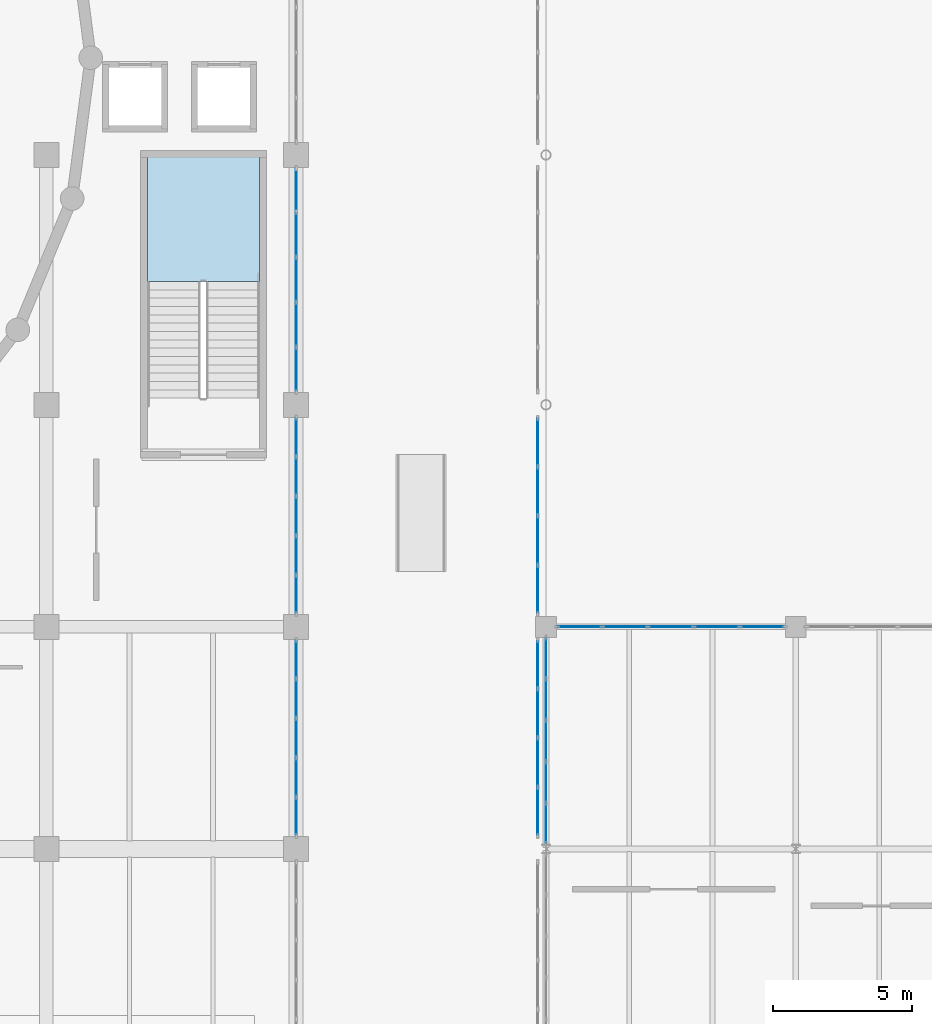
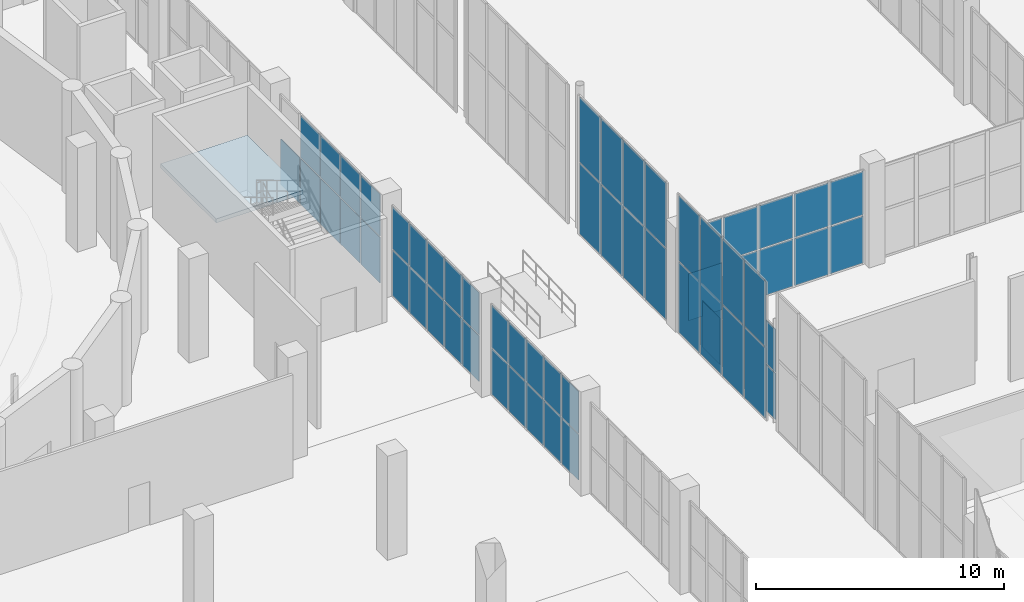
# One storey, part 69 of 103: 65 plates, 1 slab, 8 elements without a shape of their own.
"""IFC4 building model written with IfcOpenShell, lengths in metres."""

import ifcopenshell
import ifcopenshell.guid

model = None  # the IFC model being written
_history = None  # IfcOwnerHistory: only IFC2X3 demands one
_inside = {}  # id of a spatial element -> (the spatial element, [elements in it])
_under = {}  # id of a project, library or spatial element -> (it, [spatial elements below it])
_declared = {}  # id of a project -> (the project, [libraries it declares])
_typed = {}  # id of a type object -> (the type object, [elements of that type])
_made_of = {}  # id of a material, layer set ... -> (it, [elements and type objects made of it])


def new_model(schema):
    """Start an empty IFC model of exactly this schema.

    Asked for "IFC4X3", IfcOpenShell would pick the latest addendum, in which some entities
    have other attributes; the version numbers below select the first issue.
    IFC2X3 requires an IfcOwnerHistory on every rooted entity: one is made here for all.
    """
    global model, _history
    if schema == "IFC4X3":
        model = ifcopenshell.file(schema_version=(4, 3, 0, 0))
    else:
        model = ifcopenshell.file(schema=schema)
    _inside.clear()
    _under.clear()
    _declared.clear()
    _typed.clear()
    _made_of.clear()
    _history = None
    if model.schema == "IFC2X3":
        org = make("IfcOrganization", Name="unknown")
        user = make(
            "IfcPersonAndOrganization",
            ThePerson=make("IfcPerson", FamilyName="unknown"),
            TheOrganization=org,
        )
        app = make(
            "IfcApplication",
            ApplicationDeveloper=org,
            Version="unknown",
            ApplicationFullName="unknown",
            ApplicationIdentifier="unknown",
        )
        _history = make(
            "IfcOwnerHistory",
            OwningUser=user,
            OwningApplication=app,
            ChangeAction="ADDED",
            CreationDate=0,
        )
    return model


def make(cls, **values):
    """One entity of the class cls with the attributes given. An attribute that is None is left unset."""
    return model.create_entity(
        cls, **{name: value for name, value in values.items() if value is not None}
    )


def rooted(cls, **values):
    """An entity with a GlobalId (a new one), such as an element, a storey or a relation."""
    return make(cls, GlobalId=ifcopenshell.guid.new(), OwnerHistory=_history, **values)


def si_unit(unit_type, name, prefix=None):
    """IfcSIUnit, for example si_unit("LENGTHUNIT", "METRE", prefix="MILLI")."""
    return make("IfcSIUnit", UnitType=unit_type, Prefix=prefix, Name=name)


def assignment(units):
    """IfcUnitAssignment: the units of a project."""
    return None if units is None else make("IfcUnitAssignment", Units=units)


def point(xyz):
    """IfcCartesianPoint."""
    return None if xyz is None else make("IfcCartesianPoint", Coordinates=xyz)


def direction(xyz):
    """IfcDirection."""
    return None if xyz is None else make("IfcDirection", DirectionRatios=xyz)


def frame(location, z_axis=None, x_axis=None):
    """IfcAxis2Placement3D, a coordinate frame: its origin and axes. An axis left out is left unset."""
    return make(
        "IfcAxis2Placement3D",
        Location=point(location),
        Axis=direction(z_axis),
        RefDirection=direction(x_axis),
    )


def frame_2d(location, x_axis=None):
    """IfcAxis2Placement2D, a coordinate frame in the plane: its origin and x axis."""
    return make(
        "IfcAxis2Placement2D", Location=point(location), RefDirection=direction(x_axis)
    )


def origin():
    """The frame at (0, 0, 0) with its axes left unset."""
    return frame((0.0, 0.0, 0.0))


def origin_2d():
    """The frame at (0, 0) in the plane with its x axis left unset."""
    return frame_2d((0.0, 0.0))


def place(relative_to, where):
    """IfcLocalPlacement: puts the frame where relative to a parent placement (None: the world)."""
    return make(
        "IfcLocalPlacement", PlacementRelTo=relative_to, RelativePlacement=where
    )


def context(
    kind, dimensions, precision=None, world=None, true_north=None, identifier=None
):
    """IfcGeometricRepresentationContext, for example the 3D "Model" context."""
    return make(
        "IfcGeometricRepresentationContext",
        ContextIdentifier=identifier,
        ContextType=kind,
        CoordinateSpaceDimension=dimensions,
        Precision=precision,
        WorldCoordinateSystem=world,
        TrueNorth=true_north,
    )


def subcontext(parent, identifier, kind, view, scale=None):
    """IfcGeometricRepresentationSubContext, for example "Body" below "Model"."""
    return make(
        "IfcGeometricRepresentationSubContext",
        ContextIdentifier=identifier,
        ContextType=kind,
        ParentContext=parent,
        TargetScale=scale,
        TargetView=view,
    )


def project(units=None, contexts=None):
    """IfcProject with its units and contexts."""
    return rooted(
        "IfcProject",
        Name="project",
        RepresentationContexts=contexts,
        UnitsInContext=assignment(units),
    )


def spatial(cls, under=None, at=None, **own):
    """A site, building, storey or space (cls), placed at a placement, below another one or the project."""
    s = rooted(cls, ObjectPlacement=at, **own)
    if under is not None:
        _under.setdefault(under.id(), (under, []))[1].append(s)
    return s


def polyline(points):
    """IfcPolyline through the points."""
    return make("IfcPolyline", Points=[point(p) for p in points])


def profile(cls, at=None, kind="AREA", **sizes):
    """A parametric profile (cls). Its sizes go by their IFC names, for example OverallWidth=200.0."""
    return make(cls, ProfileType=kind, Position=at, **sizes)


def rectangle(**sizes):
    """IfcRectangleProfileDef."""
    return profile("IfcRectangleProfileDef", **sizes)


def outline(outer, holes=None, kind="AREA"):
    """IfcArbitraryClosedProfileDef: a profile drawn as a closed curve; with holes, ...WithVoids."""
    if holes is None:
        return make("IfcArbitraryClosedProfileDef", ProfileType=kind, OuterCurve=outer)
    return make(
        "IfcArbitraryProfileDefWithVoids",
        ProfileType=kind,
        OuterCurve=outer,
        InnerCurves=holes,
    )


def extrude(swept, where, along, depth):
    """IfcExtrudedAreaSolid: the profile swept, set in the frame where, extruded along a direction by depth."""
    return make(
        "IfcExtrudedAreaSolid",
        SweptArea=swept,
        Position=where,
        ExtrudedDirection=direction(along),
        Depth=depth,
    )


def shape(context_of_items, identifier, shape_type, items):
    """IfcShapeRepresentation: the items that make up one representation, for example the "Body"."""
    return make(
        "IfcShapeRepresentation",
        ContextOfItems=context_of_items,
        RepresentationIdentifier=identifier,
        RepresentationType=shape_type,
        Items=items,
    )


def material(Name=None, Category=None):
    """IfcMaterial."""
    return make("IfcMaterial", Name=Name, Category=Category)


def layer(
    of_material, thickness, ventilated=None, Name=None, Category=None, Priority=None
):
    """IfcMaterialLayer: one layer of a wall or slab, of a material (None: an air gap)."""
    return make(
        "IfcMaterialLayer",
        Material=of_material,
        LayerThickness=thickness,
        IsVentilated=ventilated,
        Name=Name,
        Category=Category,
        Priority=Priority,
    )


def layer_set(layers, Name=None):
    """IfcMaterialLayerSet."""
    return make("IfcMaterialLayerSet", MaterialLayers=layers, LayerSetName=Name)


def made_of(thing, what):
    """Note that an element or type object is made of a material, layer set ...; save() writes the relation."""
    if what is not None:
        _made_of.setdefault(what.id(), (what, []))[1].append(thing)
    return thing


def type_object(cls, material=None, **own):
    """A type object (cls), such as IfcWallType, which elements share."""
    return made_of(rooted(cls, **own), material)


def element(
    cls,
    number,
    at=None,
    inside=None,
    cuts=None,
    type_object=None,
    material=None,
    context=None,
    identifier="Body",
    shape_type=None,
    held_by="IfcProductDefinitionShape",
    body=None,
    shapes=None,
    **own,
):
    """One element of the class cls, such as IfcWall. Its Tag is "e" and its number.

    at: its placement. inside: the storey or other place that contains it. cuts: it is an
    opening in that element (IfcRelVoidsElement). A single representation is given by context,
    identifier, shape_type and body (its items); several are given by shapes. held_by: the class
    of the entity that holds the representations. save() writes the other relations.
    """
    e = rooted(cls, Tag="e%d" % number, ObjectPlacement=at, **own)
    if body is not None:
        shapes = [shape(context, identifier, shape_type, body)]
    if shapes is not None:
        e.Representation = make(held_by, Representations=shapes)
    if inside is not None:
        _inside.setdefault(inside.id(), (inside, []))[1].append(e)
    if cuts is not None:
        rooted(
            "IfcRelVoidsElement", RelatingBuildingElement=cuts, RelatedOpeningElement=e
        )
    if type_object is not None:
        _typed.setdefault(type_object.id(), (type_object, []))[1].append(e)
    return made_of(e, material)


def aggregate(whole, parts):
    """IfcRelAggregates: a whole, such as a stair, and the parts it consists of."""
    return rooted("IfcRelAggregates", RelatingObject=whole, RelatedObjects=parts)


def save(model, path):
    """Write the relations noted so far, then the file.

    IfcRelAggregates (storeys below a building ...), IfcRelContainedInSpatialStructure (elements
    in a storey), IfcRelDefinesByType, IfcRelAssociatesMaterial and IfcRelDeclares: one each for
    every whole, place, type object, material and project.
    """
    for whole, parts in _under.values():
        aggregate(whole, parts)
    for where, things in _inside.values():
        rooted(
            "IfcRelContainedInSpatialStructure",
            RelatedElements=things,
            RelatingStructure=where,
        )
    for kind, things in _typed.values():
        rooted("IfcRelDefinesByType", RelatedObjects=things, RelatingType=kind)
    for what, things in _made_of.values():
        rooted("IfcRelAssociatesMaterial", RelatedObjects=things, RelatingMaterial=what)
    for by, libraries in _declared.values():
        rooted("IfcRelDeclares", RelatingContext=by, RelatedDefinitions=libraries)
    model.write(path)


model = new_model("IFC4")

# Units and contexts
model_context = context("Model", 3, precision=1e-05, world=origin(), true_north=direction((0.0, 1.0)))
body_context = subcontext(model_context, "Body", "Model", "MODEL_VIEW")
ifc_project = project(units=[si_unit("LENGTHUNIT", "METRE"), si_unit("AREAUNIT", "SQUARE_METRE"), si_unit("VOLUMEUNIT", "CUBIC_METRE"), si_unit("PLANEANGLEUNIT", "RADIAN"), si_unit("MASSUNIT", "GRAM", prefix="KILO")], contexts=[model_context])

# Site, building, storey
site_placement = place(None, origin())
site = spatial("IfcSite", under=ifc_project, at=site_placement, CompositionType="ELEMENT")
building_placement = place(site_placement, origin())
building = spatial("IfcBuilding", under=site, at=building_placement, Name="Marnock Terrace Opera House", CompositionType="ELEMENT")
storey_placement = place(building_placement, origin())
storey = spatial("IfcBuildingStorey", under=building, at=storey_placement, Name="L00", CompositionType="ELEMENT", Elevation=0.0)

# Curtain wall, plates
ifc_material_1 = material(Name="Anodised architectural bronze aluminium framing", Category="aluminium")
ifc_layer_1 = layer(ifc_material_1, 0.159912109375)
ifc_layer_set_1 = layer_set([ifc_layer_1], Name="Anodised architectural bronze aluminium framing")
curtain_wall_type_1 = type_object("IfcCurtainWallType", Name="CW-FOYER-80x51", PredefinedType="NOTDEFINED", material=ifc_layer_set_1)
curtain_wall_1_placement = place(storey_placement, origin())
curtain_wall_1 = element("IfcCurtainWall", 1, at=curtain_wall_1_placement, inside=storey, type_object=curtain_wall_type_1, Name="L00 glazed Beaux-Arts colonnade curtain wall CW-V1E-L00-04", PredefinedType="NOTDEFINED")
ifc_material_2 = material(Name="Double-glazed acoustic low-E laminated glass", Category="glass")
ifc_layer_2 = layer(ifc_material_2, 0.028076171875)
ifc_layer_set_2 = layer_set([ifc_layer_2], Name="Double-glazed acoustic low-E laminated glass")
plate_type = type_object("IfcPlateType", Name="CWP-GLZ-28", PredefinedType="CURTAIN_PANEL", material=ifc_layer_set_2)
plate_1_placement = place(storey_placement, frame((109.0, 33.171875, 0.06005859375), z_axis=(0.0, 0.0, 1.0), x_axis=(0.0, 1.0, 0.0)))
plate_1 = element("IfcPlate", 2, at=plate_1_placement, type_object=plate_type, Name="CW-73 panel 1.1", PredefinedType="CURTAIN_PANEL", context=body_context, shape_type="SweptSolid", body=[
    extrude(rectangle(XDim=1.33154296875, YDim=0.028076171875, at=origin_2d()), origin(), (0.0, 0.0, 1.0), 2.243896484375),
])
plate_2_placement = place(storey_placement, frame((109.0, 33.171875, 2.36376953125), z_axis=(0.0, 0.0, 1.0), x_axis=(0.0, 1.0, 0.0)))
plate_2 = element("IfcPlate", 3, at=plate_2_placement, type_object=plate_type, Name="CW-73 panel 1.2", PredefinedType="CURTAIN_PANEL", context=body_context, shape_type="SweptSolid", body=[
    extrude(rectangle(XDim=1.33154296875, YDim=0.028076171875, at=origin_2d()), origin(), (0.0, 0.0, 1.0), 2.064208984375),
])
plate_3_placement = place(storey_placement, frame((109.0, 34.578369140625, 0.06005859375), z_axis=(0.0, 0.0, 1.0), x_axis=(0.0, 1.0, 0.0)))
plate_3 = element("IfcPlate", 4, at=plate_3_placement, type_object=plate_type, Name="CW-73 panel 2.1", PredefinedType="CURTAIN_PANEL", context=body_context, shape_type="SweptSolid", body=[
    extrude(rectangle(XDim=1.361572265625, YDim=0.028076171875, at=origin_2d()), origin(), (0.0, 0.0, 1.0), 2.243896484375),
])
plate_4_placement = place(storey_placement, frame((109.0, 34.578369140625, 2.36376953125), z_axis=(0.0, 0.0, 1.0), x_axis=(0.0, 1.0, 0.0)))
plate_4 = element("IfcPlate", 5, at=plate_4_placement, type_object=plate_type, Name="CW-73 panel 2.2", PredefinedType="CURTAIN_PANEL", context=body_context, shape_type="SweptSolid", body=[
    extrude(rectangle(XDim=1.361572265625, YDim=0.028076171875, at=origin_2d()), origin(), (0.0, 0.0, 1.0), 2.064208984375),
])
plate_5_placement = place(storey_placement, frame((109.0, 36.0, 0.06005859375), z_axis=(0.0, 0.0, 1.0), x_axis=(0.0, 1.0, 0.0)))
plate_5 = element("IfcPlate", 6, at=plate_5_placement, type_object=plate_type, Name="CW-73 panel 3.1", PredefinedType="CURTAIN_PANEL", context=body_context, shape_type="SweptSolid", body=[
    extrude(rectangle(XDim=1.361572265625, YDim=0.028076171875, at=origin_2d()), origin(), (0.0, 0.0, 1.0), 2.243896484375),
])
plate_6_placement = place(storey_placement, frame((109.0, 36.0, 2.36376953125), z_axis=(0.0, 0.0, 1.0), x_axis=(0.0, 1.0, 0.0)))
plate_6 = element("IfcPlate", 7, at=plate_6_placement, type_object=plate_type, Name="CW-73 panel 3.2", PredefinedType="CURTAIN_PANEL", context=body_context, shape_type="SweptSolid", body=[
    extrude(rectangle(XDim=1.361572265625, YDim=0.028076171875, at=origin_2d()), origin(), (0.0, 0.0, 1.0), 2.064208984375),
])
plate_7_placement = place(storey_placement, frame((109.0, 37.421630859375, 0.06005859375), z_axis=(0.0, 0.0, 1.0), x_axis=(0.0, 1.0, 0.0)))
plate_7 = element("IfcPlate", 8, at=plate_7_placement, type_object=plate_type, Name="CW-73 panel 4.1", PredefinedType="CURTAIN_PANEL", context=body_context, shape_type="SweptSolid", body=[
    extrude(rectangle(XDim=1.361572265625, YDim=0.028076171875, at=origin_2d()), origin(), (0.0, 0.0, 1.0), 2.243896484375),
])
plate_8_placement = place(storey_placement, frame((109.0, 37.421630859375, 2.36376953125), z_axis=(0.0, 0.0, 1.0), x_axis=(0.0, 1.0, 0.0)))
plate_8 = element("IfcPlate", 9, at=plate_8_placement, type_object=plate_type, Name="CW-73 panel 4.2", PredefinedType="CURTAIN_PANEL", context=body_context, shape_type="SweptSolid", body=[
    extrude(rectangle(XDim=1.361572265625, YDim=0.028076171875, at=origin_2d()), origin(), (0.0, 0.0, 1.0), 2.064208984375),
])
plate_9_placement = place(storey_placement, frame((109.0, 38.828125, 0.06005859375), z_axis=(0.0, 0.0, 1.0), x_axis=(0.0, 1.0, 0.0)))
plate_9 = element("IfcPlate", 10, at=plate_9_placement, type_object=plate_type, Name="CW-73 panel 5.1", PredefinedType="CURTAIN_PANEL", context=body_context, shape_type="SweptSolid", body=[
    extrude(rectangle(XDim=1.33154296875, YDim=0.028076171875, at=origin_2d()), origin(), (0.0, 0.0, 1.0), 2.243896484375),
])
plate_10_placement = place(storey_placement, frame((109.0, 38.828125, 2.36376953125), z_axis=(0.0, 0.0, 1.0), x_axis=(0.0, 1.0, 0.0)))
plate_10 = element("IfcPlate", 11, at=plate_10_placement, type_object=plate_type, Name="CW-73 panel 5.2", PredefinedType="CURTAIN_PANEL", context=body_context, shape_type="SweptSolid", body=[
    extrude(rectangle(XDim=1.33154296875, YDim=0.028076171875, at=origin_2d()), origin(), (0.0, 0.0, 1.0), 2.064208984375),
])
aggregate(curtain_wall_1, [plate_1, plate_2, plate_3, plate_4, plate_5, plate_6, plate_7, plate_8, plate_9, plate_10])

curtain_wall_2_placement = place(storey_placement, origin())
curtain_wall_2 = element("IfcCurtainWall", 12, at=curtain_wall_2_placement, inside=storey, type_object=curtain_wall_type_1, Name="L00 glazed Beaux-Arts colonnade curtain wall CW-V1E-L00-05", PredefinedType="NOTDEFINED")
plate_11_placement = place(storey_placement, frame((109.0, 41.171875, 0.06005859375), z_axis=(0.0, 0.0, 1.0), x_axis=(0.0, 1.0, 0.0)))
plate_11 = element("IfcPlate", 13, at=plate_11_placement, type_object=plate_type, Name="CW-73 panel 1.1", PredefinedType="CURTAIN_PANEL", context=body_context, shape_type="SweptSolid", body=[
    extrude(rectangle(XDim=1.33154296875, YDim=0.028076171875, at=origin_2d()), origin(), (0.0, 0.0, 1.0), 2.243896484375),
])
plate_12_placement = place(storey_placement, frame((109.0, 41.171875, 2.36376953125), z_axis=(0.0, 0.0, 1.0), x_axis=(0.0, 1.0, 0.0)))
plate_12 = element("IfcPlate", 14, at=plate_12_placement, type_object=plate_type, Name="CW-73 panel 1.2", PredefinedType="CURTAIN_PANEL", context=body_context, shape_type="SweptSolid", body=[
    extrude(rectangle(XDim=1.33154296875, YDim=0.028076171875, at=origin_2d()), origin(), (0.0, 0.0, 1.0), 2.064208984375),
])
plate_13_placement = place(storey_placement, frame((109.0, 42.578369140625, 0.06005859375), z_axis=(0.0, 0.0, 1.0), x_axis=(0.0, 1.0, 0.0)))
plate_13 = element("IfcPlate", 15, at=plate_13_placement, type_object=plate_type, Name="CW-73 panel 2.1", PredefinedType="CURTAIN_PANEL", context=body_context, shape_type="SweptSolid", body=[
    extrude(rectangle(XDim=1.361572265625, YDim=0.028076171875, at=origin_2d()), origin(), (0.0, 0.0, 1.0), 2.243896484375),
])
plate_14_placement = place(storey_placement, frame((109.0, 42.578369140625, 2.36376953125), z_axis=(0.0, 0.0, 1.0), x_axis=(0.0, 1.0, 0.0)))
plate_14 = element("IfcPlate", 16, at=plate_14_placement, type_object=plate_type, Name="CW-73 panel 2.2", PredefinedType="CURTAIN_PANEL", context=body_context, shape_type="SweptSolid", body=[
    extrude(rectangle(XDim=1.361572265625, YDim=0.028076171875, at=origin_2d()), origin(), (0.0, 0.0, 1.0), 2.064208984375),
])
plate_15_placement = place(storey_placement, frame((109.0, 44.0, 0.06005859375), z_axis=(0.0, 0.0, 1.0), x_axis=(0.0, 1.0, 0.0)))
plate_15 = element("IfcPlate", 17, at=plate_15_placement, type_object=plate_type, Name="CW-73 panel 3.1", PredefinedType="CURTAIN_PANEL", context=body_context, shape_type="SweptSolid", body=[
    extrude(rectangle(XDim=1.361572265625, YDim=0.028076171875, at=origin_2d()), origin(), (0.0, 0.0, 1.0), 2.243896484375),
])
plate_16_placement = place(storey_placement, frame((109.0, 44.0, 2.36376953125), z_axis=(0.0, 0.0, 1.0), x_axis=(0.0, 1.0, 0.0)))
plate_16 = element("IfcPlate", 18, at=plate_16_placement, type_object=plate_type, Name="CW-73 panel 3.2", PredefinedType="CURTAIN_PANEL", context=body_context, shape_type="SweptSolid", body=[
    extrude(rectangle(XDim=1.361572265625, YDim=0.028076171875, at=origin_2d()), origin(), (0.0, 0.0, 1.0), 2.064208984375),
])
plate_17_placement = place(storey_placement, frame((109.0, 45.421630859375, 0.06005859375), z_axis=(0.0, 0.0, 1.0), x_axis=(0.0, 1.0, 0.0)))
plate_17 = element("IfcPlate", 19, at=plate_17_placement, type_object=plate_type, Name="CW-73 panel 4.1", PredefinedType="CURTAIN_PANEL", context=body_context, shape_type="SweptSolid", body=[
    extrude(rectangle(XDim=1.361572265625, YDim=0.028076171875, at=origin_2d()), origin(), (0.0, 0.0, 1.0), 2.243896484375),
])
plate_18_placement = place(storey_placement, frame((109.0, 45.421630859375, 2.36376953125), z_axis=(0.0, 0.0, 1.0), x_axis=(0.0, 1.0, 0.0)))
plate_18 = element("IfcPlate", 20, at=plate_18_placement, type_object=plate_type, Name="CW-73 panel 4.2", PredefinedType="CURTAIN_PANEL", context=body_context, shape_type="SweptSolid", body=[
    extrude(rectangle(XDim=1.361572265625, YDim=0.028076171875, at=origin_2d()), origin(), (0.0, 0.0, 1.0), 2.064208984375),
])
plate_19_placement = place(storey_placement, frame((109.0, 46.828125, 0.06005859375), z_axis=(0.0, 0.0, 1.0), x_axis=(0.0, 1.0, 0.0)))
plate_19 = element("IfcPlate", 21, at=plate_19_placement, type_object=plate_type, Name="CW-73 panel 5.1", PredefinedType="CURTAIN_PANEL", context=body_context, shape_type="SweptSolid", body=[
    extrude(rectangle(XDim=1.33154296875, YDim=0.028076171875, at=origin_2d()), origin(), (0.0, 0.0, 1.0), 2.243896484375),
])
plate_20_placement = place(storey_placement, frame((109.0, 46.828125, 2.36376953125), z_axis=(0.0, 0.0, 1.0), x_axis=(0.0, 1.0, 0.0)))
plate_20 = element("IfcPlate", 22, at=plate_20_placement, type_object=plate_type, Name="CW-73 panel 5.2", PredefinedType="CURTAIN_PANEL", context=body_context, shape_type="SweptSolid", body=[
    extrude(rectangle(XDim=1.33154296875, YDim=0.028076171875, at=origin_2d()), origin(), (0.0, 0.0, 1.0), 2.064208984375),
])
aggregate(curtain_wall_2, [plate_11, plate_12, plate_13, plate_14, plate_15, plate_16, plate_17, plate_18, plate_19, plate_20])

ifc_layer_3 = layer(ifc_material_1, 0.159912109375)
ifc_layer_set_3 = layer_set([ifc_layer_3], Name="Anodised architectural bronze aluminium framing")
curtain_wall_type_2 = type_object("IfcCurtainWallType", Name="CW-FOYER-90x51", PredefinedType="NOTDEFINED", material=ifc_layer_set_3)
curtain_wall_3_placement = place(storey_placement, origin())
curtain_wall_3 = element("IfcCurtainWall", 23, at=curtain_wall_3_placement, inside=storey, type_object=curtain_wall_type_2, Name="L00 glazed Beaux-Arts colonnade curtain wall CW-V1E-L00-06", PredefinedType="NOTDEFINED")
plate_21_placement = place(storey_placement, frame((109.0, 49.271728515625, 0.06005859375), z_axis=(0.0, 0.0, 1.0), x_axis=(0.0, 1.0, 0.0)))
plate_21 = element("IfcPlate", 24, at=plate_21_placement, type_object=plate_type, Name="CW-31 panel 1.1", PredefinedType="CURTAIN_PANEL", context=body_context, shape_type="SweptSolid", body=[
    extrude(rectangle(XDim=1.531494140625, YDim=0.028076171875, at=origin_2d()), origin(), (0.0, 0.0, 1.0), 2.243896484375),
])
plate_22_placement = place(storey_placement, frame((109.0, 49.271728515625, 2.36376953125), z_axis=(0.0, 0.0, 1.0), x_axis=(0.0, 1.0, 0.0)))
plate_22 = element("IfcPlate", 25, at=plate_22_placement, type_object=plate_type, Name="CW-31 panel 1.2", PredefinedType="CURTAIN_PANEL", context=body_context, shape_type="SweptSolid", body=[
    extrude(rectangle(XDim=1.531494140625, YDim=0.028076171875, at=origin_2d()), origin(), (0.0, 0.0, 1.0), 2.064208984375),
])
plate_23_placement = place(storey_placement, frame((109.0, 50.87841796875, 0.06005859375), z_axis=(0.0, 0.0, 1.0), x_axis=(0.0, 1.0, 0.0)))
plate_23 = element("IfcPlate", 26, at=plate_23_placement, type_object=plate_type, Name="CW-31 panel 2.1", PredefinedType="CURTAIN_PANEL", context=body_context, shape_type="SweptSolid", body=[
    extrude(rectangle(XDim=1.5615234375, YDim=0.028076171875, at=origin_2d()), origin(), (0.0, 0.0, 1.0), 2.243896484375),
])
plate_24_placement = place(storey_placement, frame((109.0, 50.87841796875, 2.36376953125), z_axis=(0.0, 0.0, 1.0), x_axis=(0.0, 1.0, 0.0)))
plate_24 = element("IfcPlate", 27, at=plate_24_placement, type_object=plate_type, Name="CW-31 panel 2.2", PredefinedType="CURTAIN_PANEL", context=body_context, shape_type="SweptSolid", body=[
    extrude(rectangle(XDim=1.5615234375, YDim=0.028076171875, at=origin_2d()), origin(), (0.0, 0.0, 1.0), 2.064208984375),
])
plate_25_placement = place(storey_placement, frame((109.0, 52.5, 0.06005859375), z_axis=(0.0, 0.0, 1.0), x_axis=(0.0, 1.0, 0.0)))
plate_25 = element("IfcPlate", 28, at=plate_25_placement, type_object=plate_type, Name="CW-31 panel 3.1", PredefinedType="CURTAIN_PANEL", context=body_context, shape_type="SweptSolid", body=[
    extrude(rectangle(XDim=1.5615234375, YDim=0.028076171875, at=origin_2d()), origin(), (0.0, 0.0, 1.0), 2.243896484375),
])
plate_26_placement = place(storey_placement, frame((109.0, 52.5, 2.36376953125), z_axis=(0.0, 0.0, 1.0), x_axis=(0.0, 1.0, 0.0)))
plate_26 = element("IfcPlate", 29, at=plate_26_placement, type_object=plate_type, Name="CW-31 panel 3.2", PredefinedType="CURTAIN_PANEL", context=body_context, shape_type="SweptSolid", body=[
    extrude(rectangle(XDim=1.5615234375, YDim=0.028076171875, at=origin_2d()), origin(), (0.0, 0.0, 1.0), 2.064208984375),
])
plate_27_placement = place(storey_placement, frame((109.0, 54.12158203125, 0.06005859375), z_axis=(0.0, 0.0, 1.0), x_axis=(0.0, 1.0, 0.0)))
plate_27 = element("IfcPlate", 30, at=plate_27_placement, type_object=plate_type, Name="CW-31 panel 4.1", PredefinedType="CURTAIN_PANEL", context=body_context, shape_type="SweptSolid", body=[
    extrude(rectangle(XDim=1.5615234375, YDim=0.028076171875, at=origin_2d()), origin(), (0.0, 0.0, 1.0), 2.243896484375),
])
plate_28_placement = place(storey_placement, frame((109.0, 54.12158203125, 2.36376953125), z_axis=(0.0, 0.0, 1.0), x_axis=(0.0, 1.0, 0.0)))
plate_28 = element("IfcPlate", 31, at=plate_28_placement, type_object=plate_type, Name="CW-31 panel 4.2", PredefinedType="CURTAIN_PANEL", context=body_context, shape_type="SweptSolid", body=[
    extrude(rectangle(XDim=1.5615234375, YDim=0.028076171875, at=origin_2d()), origin(), (0.0, 0.0, 1.0), 2.064208984375),
])
plate_29_placement = place(storey_placement, frame((109.0, 55.728271484375, 0.06005859375), z_axis=(0.0, 0.0, 1.0), x_axis=(0.0, 1.0, 0.0)))
plate_29 = element("IfcPlate", 32, at=plate_29_placement, type_object=plate_type, Name="CW-31 panel 5.1", PredefinedType="CURTAIN_PANEL", context=body_context, shape_type="SweptSolid", body=[
    extrude(rectangle(XDim=1.531494140625, YDim=0.028076171875, at=origin_2d()), origin(), (0.0, 0.0, 1.0), 2.243896484375),
])
aggregate(curtain_wall_3, [plate_21, plate_22, plate_23, plate_24, plate_25, plate_26, plate_27, plate_28, plate_29])

ifc_layer_4 = layer(ifc_material_1, 0.159912109375)
ifc_layer_set_4 = layer_set([ifc_layer_4], Name="Anodised architectural bronze aluminium framing")
curtain_wall_type_3 = type_object("IfcCurtainWallType", Name="CW-LOGGIA-86x51", PredefinedType="NOTDEFINED", material=ifc_layer_set_4)
curtain_wall_4_placement = place(storey_placement, origin())
curtain_wall_4 = element("IfcCurtainWall", 33, at=curtain_wall_4_placement, inside=storey, type_object=curtain_wall_type_3, Name="L00 glazed Beaux-Arts colonnade curtain wall CW-V5-L00-W4", PredefinedType="NOTDEFINED")
plate_30_placement = place(storey_placement, frame((118.0, 32.921630859375, 0.06005859375), z_axis=(0.0, 0.0, 1.0), x_axis=(0.0, 1.0, 0.0)))
plate_30 = element("IfcPlate", 34, at=plate_30_placement, type_object=plate_type, Name="CW-96 panel 1.1", PredefinedType="CURTAIN_PANEL", context=body_context, shape_type="SweptSolid", body=[
    extrude(rectangle(XDim=1.40380859375, YDim=0.028076171875, at=origin_2d()), origin(), (0.0, 0.0, 1.0), 2.2822265625),
])
plate_31_placement = place(storey_placement, frame((118.0, 32.921630859375, 2.40234375), z_axis=(0.0, 0.0, 1.0), x_axis=(0.0, 1.0, 0.0)))
plate_31 = element("IfcPlate", 35, at=plate_31_placement, type_object=plate_type, Name="CW-96 panel 1.2", PredefinedType="CURTAIN_PANEL", context=body_context, shape_type="SweptSolid", body=[
    extrude(rectangle(XDim=1.40380859375, YDim=0.028076171875, at=origin_2d()), origin(), (0.0, 0.0, 1.0), 2.099853515625),
])
plate_32_placement = place(storey_placement, frame((118.0, 34.400390625, 0.06005859375), z_axis=(0.0, 0.0, 1.0), x_axis=(0.0, 1.0, 0.0)))
plate_32 = element("IfcPlate", 36, at=plate_32_placement, type_object=plate_type, Name="CW-96 panel 2.1", PredefinedType="CURTAIN_PANEL", context=body_context, shape_type="SweptSolid", body=[
    extrude(rectangle(XDim=1.433837890625, YDim=0.028076171875, at=origin_2d()), origin(), (0.0, 0.0, 1.0), 2.2822265625),
])
plate_33_placement = place(storey_placement, frame((118.0, 34.400390625, 2.40234375), z_axis=(0.0, 0.0, 1.0), x_axis=(0.0, 1.0, 0.0)))
plate_33 = element("IfcPlate", 37, at=plate_33_placement, type_object=plate_type, Name="CW-96 panel 2.2", PredefinedType="CURTAIN_PANEL", context=body_context, shape_type="SweptSolid", body=[
    extrude(rectangle(XDim=1.433837890625, YDim=0.028076171875, at=origin_2d()), origin(), (0.0, 0.0, 1.0), 2.099853515625),
])
plate_34_placement = place(storey_placement, frame((118.0, 35.894287109375, 0.06005859375), z_axis=(0.0, 0.0, 1.0), x_axis=(0.0, 1.0, 0.0)))
plate_34 = element("IfcPlate", 38, at=plate_34_placement, type_object=plate_type, Name="CW-96 panel 3.1", PredefinedType="CURTAIN_PANEL", context=body_context, shape_type="SweptSolid", body=[
    extrude(rectangle(XDim=1.433837890625, YDim=0.028076171875, at=origin_2d()), origin(), (0.0, 0.0, 1.0), 2.2822265625),
])
plate_35_placement = place(storey_placement, frame((118.0, 35.894287109375, 2.40234375), z_axis=(0.0, 0.0, 1.0), x_axis=(0.0, 1.0, 0.0)))
plate_35 = element("IfcPlate", 39, at=plate_35_placement, type_object=plate_type, Name="CW-96 panel 3.2", PredefinedType="CURTAIN_PANEL", context=body_context, shape_type="SweptSolid", body=[
    extrude(rectangle(XDim=1.433837890625, YDim=0.028076171875, at=origin_2d()), origin(), (0.0, 0.0, 1.0), 2.099853515625),
])
plate_36_placement = place(storey_placement, frame((118.0, 37.38818359375, 0.06005859375), z_axis=(0.0, 0.0, 1.0), x_axis=(0.0, 1.0, 0.0)))
plate_36 = element("IfcPlate", 40, at=plate_36_placement, type_object=plate_type, Name="CW-96 panel 4.1", PredefinedType="CURTAIN_PANEL", context=body_context, shape_type="SweptSolid", body=[
    extrude(rectangle(XDim=1.433837890625, YDim=0.028076171875, at=origin_2d()), origin(), (0.0, 0.0, 1.0), 2.2822265625),
])
plate_37_placement = place(storey_placement, frame((118.0, 37.38818359375, 2.40234375), z_axis=(0.0, 0.0, 1.0), x_axis=(0.0, 1.0, 0.0)))
plate_37 = element("IfcPlate", 41, at=plate_37_placement, type_object=plate_type, Name="CW-96 panel 4.2", PredefinedType="CURTAIN_PANEL", context=body_context, shape_type="SweptSolid", body=[
    extrude(rectangle(XDim=1.433837890625, YDim=0.028076171875, at=origin_2d()), origin(), (0.0, 0.0, 1.0), 2.099853515625),
])
plate_38_placement = place(storey_placement, frame((118.0, 38.866943359375, 0.06005859375), z_axis=(0.0, 0.0, 1.0), x_axis=(0.0, 1.0, 0.0)))
plate_38 = element("IfcPlate", 42, at=plate_38_placement, type_object=plate_type, Name="CW-96 panel 5.1", PredefinedType="CURTAIN_PANEL", context=body_context, shape_type="SweptSolid", body=[
    extrude(rectangle(XDim=1.40380859375, YDim=0.028076171875, at=origin_2d()), origin(), (0.0, 0.0, 1.0), 2.2822265625),
])
plate_39_placement = place(storey_placement, frame((118.0, 38.866943359375, 2.40234375), z_axis=(0.0, 0.0, 1.0), x_axis=(0.0, 1.0, 0.0)))
plate_39 = element("IfcPlate", 43, at=plate_39_placement, type_object=plate_type, Name="CW-96 panel 5.2", PredefinedType="CURTAIN_PANEL", context=body_context, shape_type="SweptSolid", body=[
    extrude(rectangle(XDim=1.40380859375, YDim=0.028076171875, at=origin_2d()), origin(), (0.0, 0.0, 1.0), 2.099853515625),
])
aggregate(curtain_wall_4, [plate_30, plate_31, plate_32, plate_33, plate_34, plate_35, plate_36, plate_37, plate_38, plate_39])

curtain_wall_5_placement = place(storey_placement, origin())
curtain_wall_5 = element("IfcCurtainWall", 44, at=curtain_wall_5_placement, inside=storey, type_object=curtain_wall_type_3, Name="L00 glazed Beaux-Arts colonnade curtain wall CW-V5-L00-CS1", PredefinedType="NOTDEFINED")
plate_40_placement = place(storey_placement, frame((119.2119140625, 40.0, 0.06005859375), z_axis=(0.0, 0.0, 1.0), x_axis=(1.0, 0.0, 0.0)))
plate_40 = element("IfcPlate", 45, at=plate_40_placement, type_object=plate_type, Name="CW-96 panel 1.1", PredefinedType="CURTAIN_PANEL", context=body_context, shape_type="SweptSolid", body=[
    extrude(rectangle(XDim=1.5615234375, YDim=0.028076171875, at=origin_2d()), origin(), (0.0, 0.0, 1.0), 2.3173828125),
])
plate_41_placement = place(storey_placement, frame((119.2119140625, 40.0, 2.4375), z_axis=(0.0, 0.0, 1.0), x_axis=(1.0, 0.0, 0.0)))
plate_41 = element("IfcPlate", 46, at=plate_41_placement, type_object=plate_type, Name="CW-96 panel 1.2", PredefinedType="CURTAIN_PANEL", context=body_context, shape_type="SweptSolid", body=[
    extrude(rectangle(XDim=1.5615234375, YDim=0.028076171875, at=origin_2d()), origin(), (0.0, 0.0, 1.0), 2.132080078125),
])
plate_42_placement = place(storey_placement, frame((120.848388671875, 40.0, 0.06005859375), z_axis=(0.0, 0.0, 1.0), x_axis=(1.0, 0.0, 0.0)))
plate_42 = element("IfcPlate", 47, at=plate_42_placement, type_object=plate_type, Name="CW-96 panel 2.1", PredefinedType="CURTAIN_PANEL", context=body_context, shape_type="SweptSolid", body=[
    extrude(rectangle(XDim=1.591552734375, YDim=0.028076171875, at=origin_2d()), origin(), (0.0, 0.0, 1.0), 2.3173828125),
])
plate_43_placement = place(storey_placement, frame((120.848388671875, 40.0, 2.4375), z_axis=(0.0, 0.0, 1.0), x_axis=(1.0, 0.0, 0.0)))
plate_43 = element("IfcPlate", 48, at=plate_43_placement, type_object=plate_type, Name="CW-96 panel 2.2", PredefinedType="CURTAIN_PANEL", context=body_context, shape_type="SweptSolid", body=[
    extrude(rectangle(XDim=1.591552734375, YDim=0.028076171875, at=origin_2d()), origin(), (0.0, 0.0, 1.0), 2.132080078125),
])
plate_44_placement = place(storey_placement, frame((122.5, 40.0, 0.06005859375), z_axis=(0.0, 0.0, 1.0), x_axis=(1.0, 0.0, 0.0)))
plate_44 = element("IfcPlate", 49, at=plate_44_placement, type_object=plate_type, Name="CW-96 panel 3.1", PredefinedType="CURTAIN_PANEL", context=body_context, shape_type="SweptSolid", body=[
    extrude(rectangle(XDim=1.591552734375, YDim=0.028076171875, at=origin_2d()), origin(), (0.0, 0.0, 1.0), 2.3173828125),
])
plate_45_placement = place(storey_placement, frame((122.5, 40.0, 2.4375), z_axis=(0.0, 0.0, 1.0), x_axis=(1.0, 0.0, 0.0)))
plate_45 = element("IfcPlate", 50, at=plate_45_placement, type_object=plate_type, Name="CW-96 panel 3.2", PredefinedType="CURTAIN_PANEL", context=body_context, shape_type="SweptSolid", body=[
    extrude(rectangle(XDim=1.591552734375, YDim=0.028076171875, at=origin_2d()), origin(), (0.0, 0.0, 1.0), 2.132080078125),
])
plate_46_placement = place(storey_placement, frame((124.151611328125, 40.0, 0.06005859375), z_axis=(0.0, 0.0, 1.0), x_axis=(1.0, 0.0, 0.0)))
plate_46 = element("IfcPlate", 51, at=plate_46_placement, type_object=plate_type, Name="CW-96 panel 4.1", PredefinedType="CURTAIN_PANEL", context=body_context, shape_type="SweptSolid", body=[
    extrude(rectangle(XDim=1.591552734375, YDim=0.028076171875, at=origin_2d()), origin(), (0.0, 0.0, 1.0), 2.3173828125),
])
plate_47_placement = place(storey_placement, frame((124.151611328125, 40.0, 2.4375), z_axis=(0.0, 0.0, 1.0), x_axis=(1.0, 0.0, 0.0)))
plate_47 = element("IfcPlate", 52, at=plate_47_placement, type_object=plate_type, Name="CW-96 panel 4.2", PredefinedType="CURTAIN_PANEL", context=body_context, shape_type="SweptSolid", body=[
    extrude(rectangle(XDim=1.591552734375, YDim=0.028076171875, at=origin_2d()), origin(), (0.0, 0.0, 1.0), 2.132080078125),
])
plate_48_placement = place(storey_placement, frame((125.7880859375, 40.0, 0.06005859375), z_axis=(0.0, 0.0, 1.0), x_axis=(1.0, 0.0, 0.0)))
plate_48 = element("IfcPlate", 53, at=plate_48_placement, type_object=plate_type, Name="CW-96 panel 5.1", PredefinedType="CURTAIN_PANEL", context=body_context, shape_type="SweptSolid", body=[
    extrude(rectangle(XDim=1.5615234375, YDim=0.028076171875, at=origin_2d()), origin(), (0.0, 0.0, 1.0), 2.3173828125),
])
plate_49_placement = place(storey_placement, frame((125.7880859375, 40.0, 2.4375), z_axis=(0.0, 0.0, 1.0), x_axis=(1.0, 0.0, 0.0)))
plate_49 = element("IfcPlate", 54, at=plate_49_placement, type_object=plate_type, Name="CW-96 panel 5.2", PredefinedType="CURTAIN_PANEL", context=body_context, shape_type="SweptSolid", body=[
    extrude(rectangle(XDim=1.5615234375, YDim=0.028076171875, at=origin_2d()), origin(), (0.0, 0.0, 1.0), 2.132080078125),
])
aggregate(curtain_wall_5, [plate_40, plate_41, plate_42, plate_43, plate_44, plate_45, plate_46, plate_47, plate_48, plate_49])

ifc_layer_5 = layer(ifc_material_1, 0.159912109375)
ifc_layer_set_5 = layer_set([ifc_layer_5], Name="Anodised architectural bronze aluminium framing")
curtain_wall_type_4 = type_object("IfcCurtainWallType", Name="CW-PASSAGE-71x68", PredefinedType="NOTDEFINED", material=ifc_layer_set_5)
curtain_wall_6_placement = place(storey_placement, origin())
curtain_wall_6 = element("IfcCurtainWall", 55, at=curtain_wall_6_placement, inside=storey, type_object=curtain_wall_type_4, Name="L00 glazed Beaux-Arts colonnade curtain wall CW-PASSAGE-L00-04", PredefinedType="NOTDEFINED")
plate_50_placement = place(storey_placement, frame((117.699951171875, 33.3525390625, 0.06005859375), z_axis=(0.0, 0.0, 1.0), x_axis=(0.0, 1.0, 0.0)))
plate_50 = element("IfcPlate", 56, at=plate_50_placement, type_object=plate_type, Name="CW-33 panel 1.1", PredefinedType="CURTAIN_PANEL", context=body_context, shape_type="SweptSolid", body=[
    extrude(rectangle(XDim=1.68505859375, YDim=0.028076171875, at=origin_2d()), origin(), (0.0, 0.0, 1.0), 3.471923828125),
])
plate_51_placement = place(storey_placement, frame((117.699951171875, 33.3525390625, 3.591796875), z_axis=(0.0, 0.0, 1.0), x_axis=(0.0, 1.0, 0.0)))
plate_51 = element("IfcPlate", 57, at=plate_51_placement, type_object=plate_type, Name="CW-33 panel 1.2", PredefinedType="CURTAIN_PANEL", context=body_context, shape_type="SweptSolid", body=[
    extrude(rectangle(XDim=1.68505859375, YDim=0.028076171875, at=origin_2d()), origin(), (0.0, 0.0, 1.0), 3.197998046875),
])
plate_52_placement = place(storey_placement, frame((117.699951171875, 35.112548828125, 0.06005859375), z_axis=(0.0, 0.0, 1.0), x_axis=(0.0, 1.0, 0.0)))
plate_52 = element("IfcPlate", 58, at=plate_52_placement, type_object=plate_type, Name="CW-33 panel 2.1", PredefinedType="CURTAIN_PANEL", context=body_context, shape_type="SweptSolid", body=[
    extrude(rectangle(XDim=1.715087890625, YDim=0.028076171875, at=origin_2d()), origin(), (0.0, 0.0, 1.0), 3.471923828125),
])
plate_53_placement = place(storey_placement, frame((117.699951171875, 35.112548828125, 3.591796875), z_axis=(0.0, 0.0, 1.0), x_axis=(0.0, 1.0, 0.0)))
plate_53 = element("IfcPlate", 59, at=plate_53_placement, type_object=plate_type, Name="CW-33 panel 2.2", PredefinedType="CURTAIN_PANEL", context=body_context, shape_type="SweptSolid", body=[
    extrude(rectangle(XDim=1.715087890625, YDim=0.028076171875, at=origin_2d()), origin(), (0.0, 0.0, 1.0), 3.197998046875),
])
plate_54_placement = place(storey_placement, frame((117.699951171875, 36.887451171875, 0.06005859375), z_axis=(0.0, 0.0, 1.0), x_axis=(0.0, 1.0, 0.0)))
plate_54 = element("IfcPlate", 60, at=plate_54_placement, type_object=plate_type, Name="CW-33 panel 3.1", PredefinedType="CURTAIN_PANEL", context=body_context, shape_type="SweptSolid", body=[
    extrude(rectangle(XDim=1.715087890625, YDim=0.028076171875, at=origin_2d()), origin(), (0.0, 0.0, 1.0), 3.471923828125),
])
plate_55_placement = place(storey_placement, frame((117.699951171875, 36.887451171875, 3.591796875), z_axis=(0.0, 0.0, 1.0), x_axis=(0.0, 1.0, 0.0)))
plate_55 = element("IfcPlate", 61, at=plate_55_placement, type_object=plate_type, Name="CW-33 panel 3.2", PredefinedType="CURTAIN_PANEL", context=body_context, shape_type="SweptSolid", body=[
    extrude(rectangle(XDim=1.715087890625, YDim=0.028076171875, at=origin_2d()), origin(), (0.0, 0.0, 1.0), 3.197998046875),
])
plate_56_placement = place(storey_placement, frame((117.699951171875, 38.6474609375, 0.06005859375), z_axis=(0.0, 0.0, 1.0), x_axis=(0.0, 1.0, 0.0)))
plate_56 = element("IfcPlate", 62, at=plate_56_placement, type_object=plate_type, Name="CW-33 panel 4.1", PredefinedType="CURTAIN_PANEL", context=body_context, shape_type="SweptSolid", body=[
    extrude(rectangle(XDim=1.68505859375, YDim=0.028076171875, at=origin_2d()), origin(), (0.0, 0.0, 1.0), 3.471923828125),
])
plate_57_placement = place(storey_placement, frame((117.699951171875, 38.6474609375, 3.591796875), z_axis=(0.0, 0.0, 1.0), x_axis=(0.0, 1.0, 0.0)))
plate_57 = element("IfcPlate", 63, at=plate_57_placement, type_object=plate_type, Name="CW-33 panel 4.2", PredefinedType="CURTAIN_PANEL", context=body_context, shape_type="SweptSolid", body=[
    extrude(rectangle(XDim=1.68505859375, YDim=0.028076171875, at=origin_2d()), origin(), (0.0, 0.0, 1.0), 3.197998046875),
])
aggregate(curtain_wall_6, [plate_50, plate_51, plate_52, plate_53, plate_54, plate_55, plate_56, plate_57])

curtain_wall_7_placement = place(storey_placement, origin())
curtain_wall_7 = element("IfcCurtainWall", 64, at=curtain_wall_7_placement, inside=storey, type_object=curtain_wall_type_4, Name="L00 glazed Beaux-Arts colonnade curtain wall CW-PASSAGE-L00-05", PredefinedType="NOTDEFINED")
plate_58_placement = place(storey_placement, frame((117.699951171875, 41.3525390625, 0.06005859375), z_axis=(0.0, 0.0, 1.0), x_axis=(0.0, 1.0, 0.0)))
plate_58 = element("IfcPlate", 65, at=plate_58_placement, type_object=plate_type, Name="CW-33 panel 1.1", PredefinedType="CURTAIN_PANEL", context=body_context, shape_type="SweptSolid", body=[
    extrude(rectangle(XDim=1.68505859375, YDim=0.028076171875, at=origin_2d()), origin(), (0.0, 0.0, 1.0), 3.471923828125),
])
plate_59_placement = place(storey_placement, frame((117.699951171875, 41.3525390625, 3.591796875), z_axis=(0.0, 0.0, 1.0), x_axis=(0.0, 1.0, 0.0)))
plate_59 = element("IfcPlate", 66, at=plate_59_placement, type_object=plate_type, Name="CW-33 panel 1.2", PredefinedType="CURTAIN_PANEL", context=body_context, shape_type="SweptSolid", body=[
    extrude(rectangle(XDim=1.68505859375, YDim=0.028076171875, at=origin_2d()), origin(), (0.0, 0.0, 1.0), 3.197998046875),
])
plate_60_placement = place(storey_placement, frame((117.699951171875, 43.112548828125, 0.06005859375), z_axis=(0.0, 0.0, 1.0), x_axis=(0.0, 1.0, 0.0)))
plate_60 = element("IfcPlate", 67, at=plate_60_placement, type_object=plate_type, Name="CW-33 panel 2.1", PredefinedType="CURTAIN_PANEL", context=body_context, shape_type="SweptSolid", body=[
    extrude(rectangle(XDim=1.715087890625, YDim=0.028076171875, at=origin_2d()), origin(), (0.0, 0.0, 1.0), 3.471923828125),
])
plate_61_placement = place(storey_placement, frame((117.699951171875, 43.112548828125, 3.591796875), z_axis=(0.0, 0.0, 1.0), x_axis=(0.0, 1.0, 0.0)))
plate_61 = element("IfcPlate", 68, at=plate_61_placement, type_object=plate_type, Name="CW-33 panel 2.2", PredefinedType="CURTAIN_PANEL", context=body_context, shape_type="SweptSolid", body=[
    extrude(rectangle(XDim=1.715087890625, YDim=0.028076171875, at=origin_2d()), origin(), (0.0, 0.0, 1.0), 3.197998046875),
])
plate_62_placement = place(storey_placement, frame((117.699951171875, 44.887451171875, 0.06005859375), z_axis=(0.0, 0.0, 1.0), x_axis=(0.0, 1.0, 0.0)))
plate_62 = element("IfcPlate", 69, at=plate_62_placement, type_object=plate_type, Name="CW-33 panel 3.1", PredefinedType="CURTAIN_PANEL", context=body_context, shape_type="SweptSolid", body=[
    extrude(rectangle(XDim=1.715087890625, YDim=0.028076171875, at=origin_2d()), origin(), (0.0, 0.0, 1.0), 3.471923828125),
])
plate_63_placement = place(storey_placement, frame((117.699951171875, 44.887451171875, 3.591796875), z_axis=(0.0, 0.0, 1.0), x_axis=(0.0, 1.0, 0.0)))
plate_63 = element("IfcPlate", 70, at=plate_63_placement, type_object=plate_type, Name="CW-33 panel 3.2", PredefinedType="CURTAIN_PANEL", context=body_context, shape_type="SweptSolid", body=[
    extrude(rectangle(XDim=1.715087890625, YDim=0.028076171875, at=origin_2d()), origin(), (0.0, 0.0, 1.0), 3.197998046875),
])
plate_64_placement = place(storey_placement, frame((117.699951171875, 46.6474609375, 0.06005859375), z_axis=(0.0, 0.0, 1.0), x_axis=(0.0, 1.0, 0.0)))
plate_64 = element("IfcPlate", 71, at=plate_64_placement, type_object=plate_type, Name="CW-33 panel 4.1", PredefinedType="CURTAIN_PANEL", context=body_context, shape_type="SweptSolid", body=[
    extrude(rectangle(XDim=1.68505859375, YDim=0.028076171875, at=origin_2d()), origin(), (0.0, 0.0, 1.0), 3.471923828125),
])
plate_65_placement = place(storey_placement, frame((117.699951171875, 46.6474609375, 3.591796875), z_axis=(0.0, 0.0, 1.0), x_axis=(0.0, 1.0, 0.0)))
plate_65 = element("IfcPlate", 72, at=plate_65_placement, type_object=plate_type, Name="CW-33 panel 4.2", PredefinedType="CURTAIN_PANEL", context=body_context, shape_type="SweptSolid", body=[
    extrude(rectangle(XDim=1.68505859375, YDim=0.028076171875, at=origin_2d()), origin(), (0.0, 0.0, 1.0), 3.197998046875),
])
aggregate(curtain_wall_7, [plate_58, plate_59, plate_60, plate_61, plate_62, plate_63, plate_64, plate_65])

# Stair, slab
ifc_material_3 = material(Name="Concrete N40 (f'c = 40 MPa)", Category="concrete")
stair_type = type_object("IfcStairType", Name="ST-TYPE-2600", PredefinedType="HALF_TURN_STAIR", material=ifc_material_3)
stair_placement = place(storey_placement, origin())
stair = element("IfcStair", 73, at=stair_placement, inside=storey, type_object=stair_type, Name="L00 ST-02", PredefinedType="HALF_TURN_STAIR")
ifc_material_4 = material(Name="Concrete N32 (f'c = 32 MPa)", Category="concrete")
ifc_layer_6 = layer(ifc_material_4, 0.199951171875)
ifc_layer_set_6 = layer_set([ifc_layer_6], Name="Concrete N32 (f'c = 32 MPa)")
slab_type = type_object("IfcSlabType", Name="SL-LAND-200", PredefinedType="LANDING", material=ifc_layer_set_6)
slab_placement = place(storey_placement, frame((0.0, 0.0, 2.5)))
slab = element("IfcSlab", 74, at=slab_placement, type_object=slab_type, Name="ST-02 landing 1", PredefinedType="LANDING", context=body_context, shape_type="SweptSolid", body=[
    extrude(outline(polyline([(107.679931640625, 52.43994140625), (107.679931640625, 56.919921875), (103.639892578125, 56.919921875), (103.639892578125, 52.43994140625), (107.679931640625, 52.43994140625)])), origin(), (0.0, 0.0, 1.0), 0.199951171875),
])
aggregate(stair, [slab])

save(model, "model.ifc")
